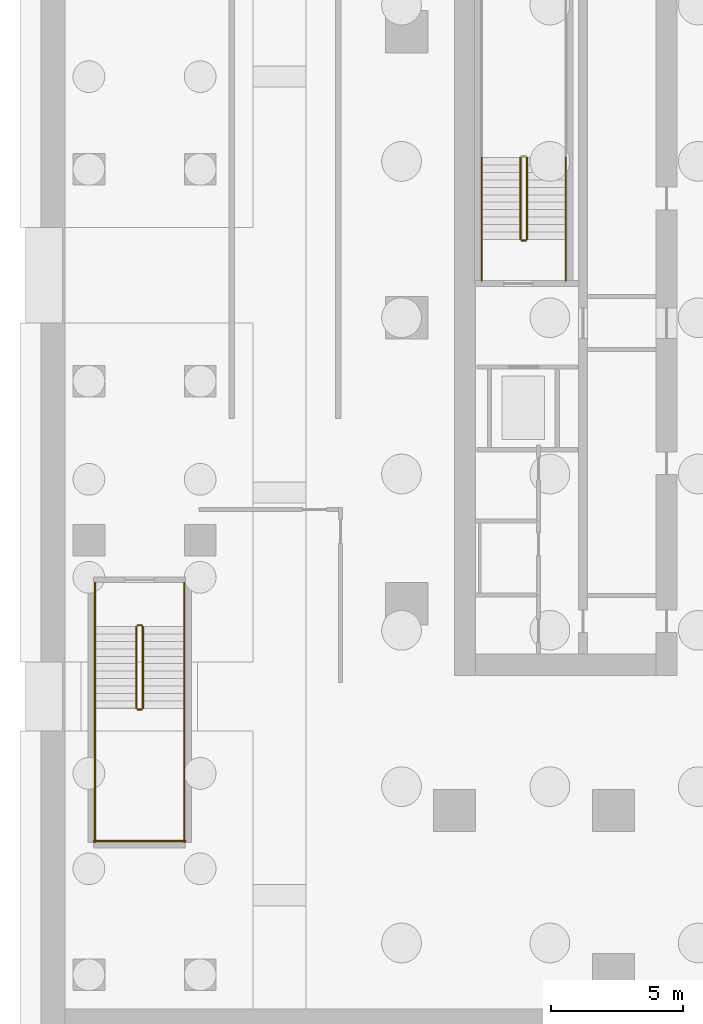
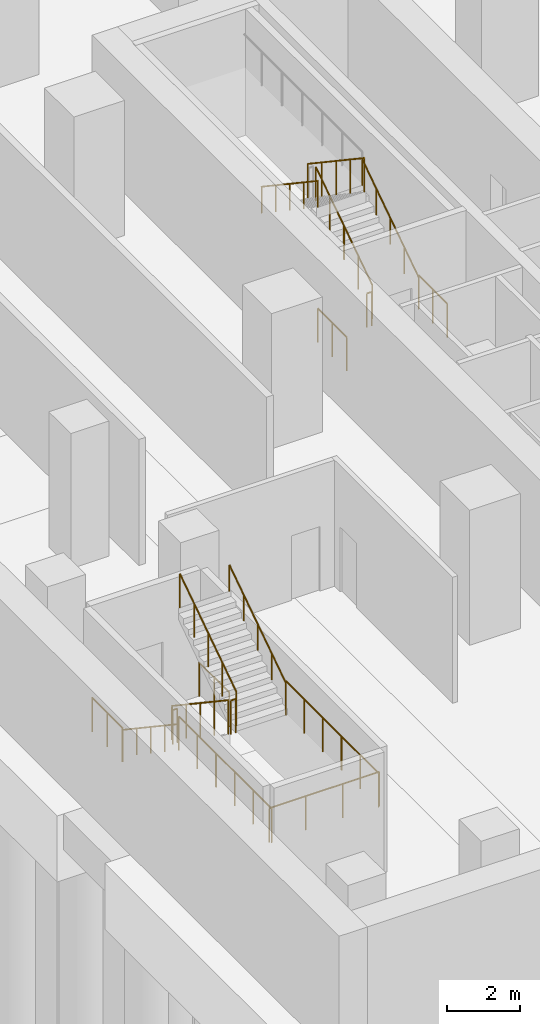
# One storey, part 9 of 15: 18 railings.
"""IFC4 building model written with IfcOpenShell, lengths in metres."""

import ifcopenshell
import ifcopenshell.guid

model = None  # the IFC model being written
_history = None  # IfcOwnerHistory: only IFC2X3 demands one
_inside = {}  # id of a spatial element -> (the spatial element, [elements in it])
_under = {}  # id of a project, library or spatial element -> (it, [spatial elements below it])
_declared = {}  # id of a project -> (the project, [libraries it declares])
_typed = {}  # id of a type object -> (the type object, [elements of that type])
_made_of = {}  # id of a material, layer set ... -> (it, [elements and type objects made of it])


def new_model(schema):
    """Start an empty IFC model of exactly this schema.

    Asked for "IFC4X3", IfcOpenShell would pick the latest addendum, in which some entities
    have other attributes; the version numbers below select the first issue.
    IFC2X3 requires an IfcOwnerHistory on every rooted entity: one is made here for all.
    """
    global model, _history
    if schema == "IFC4X3":
        model = ifcopenshell.file(schema_version=(4, 3, 0, 0))
    else:
        model = ifcopenshell.file(schema=schema)
    _inside.clear()
    _under.clear()
    _declared.clear()
    _typed.clear()
    _made_of.clear()
    _history = None
    if model.schema == "IFC2X3":
        org = make("IfcOrganization", Name="unknown")
        user = make(
            "IfcPersonAndOrganization",
            ThePerson=make("IfcPerson", FamilyName="unknown"),
            TheOrganization=org,
        )
        app = make(
            "IfcApplication",
            ApplicationDeveloper=org,
            Version="unknown",
            ApplicationFullName="unknown",
            ApplicationIdentifier="unknown",
        )
        _history = make(
            "IfcOwnerHistory",
            OwningUser=user,
            OwningApplication=app,
            ChangeAction="ADDED",
            CreationDate=0,
        )
    return model


def make(cls, **values):
    """One entity of the class cls with the attributes given. An attribute that is None is left unset."""
    return model.create_entity(
        cls, **{name: value for name, value in values.items() if value is not None}
    )


def rooted(cls, **values):
    """An entity with a GlobalId (a new one), such as an element, a storey or a relation."""
    return make(cls, GlobalId=ifcopenshell.guid.new(), OwnerHistory=_history, **values)


def si_unit(unit_type, name, prefix=None):
    """IfcSIUnit, for example si_unit("LENGTHUNIT", "METRE", prefix="MILLI")."""
    return make("IfcSIUnit", UnitType=unit_type, Prefix=prefix, Name=name)


def assignment(units):
    """IfcUnitAssignment: the units of a project."""
    return None if units is None else make("IfcUnitAssignment", Units=units)


def point(xyz):
    """IfcCartesianPoint."""
    return None if xyz is None else make("IfcCartesianPoint", Coordinates=xyz)


def direction(xyz):
    """IfcDirection."""
    return None if xyz is None else make("IfcDirection", DirectionRatios=xyz)


def frame(location, z_axis=None, x_axis=None):
    """IfcAxis2Placement3D, a coordinate frame: its origin and axes. An axis left out is left unset."""
    return make(
        "IfcAxis2Placement3D",
        Location=point(location),
        Axis=direction(z_axis),
        RefDirection=direction(x_axis),
    )


def frame_2d(location, x_axis=None):
    """IfcAxis2Placement2D, a coordinate frame in the plane: its origin and x axis."""
    return make(
        "IfcAxis2Placement2D", Location=point(location), RefDirection=direction(x_axis)
    )


def origin():
    """The frame at (0, 0, 0) with its axes left unset."""
    return frame((0.0, 0.0, 0.0))


def origin_2d():
    """The frame at (0, 0) in the plane with its x axis left unset."""
    return frame_2d((0.0, 0.0))


def place(relative_to, where):
    """IfcLocalPlacement: puts the frame where relative to a parent placement (None: the world)."""
    return make(
        "IfcLocalPlacement", PlacementRelTo=relative_to, RelativePlacement=where
    )


def context(
    kind, dimensions, precision=None, world=None, true_north=None, identifier=None
):
    """IfcGeometricRepresentationContext, for example the 3D "Model" context."""
    return make(
        "IfcGeometricRepresentationContext",
        ContextIdentifier=identifier,
        ContextType=kind,
        CoordinateSpaceDimension=dimensions,
        Precision=precision,
        WorldCoordinateSystem=world,
        TrueNorth=true_north,
    )


def subcontext(parent, identifier, kind, view, scale=None):
    """IfcGeometricRepresentationSubContext, for example "Body" below "Model"."""
    return make(
        "IfcGeometricRepresentationSubContext",
        ContextIdentifier=identifier,
        ContextType=kind,
        ParentContext=parent,
        TargetScale=scale,
        TargetView=view,
    )


def project(units=None, contexts=None):
    """IfcProject with its units and contexts."""
    return rooted(
        "IfcProject",
        Name="project",
        RepresentationContexts=contexts,
        UnitsInContext=assignment(units),
    )


def spatial(cls, under=None, at=None, **own):
    """A site, building, storey or space (cls), placed at a placement, below another one or the project."""
    s = rooted(cls, ObjectPlacement=at, **own)
    if under is not None:
        _under.setdefault(under.id(), (under, []))[1].append(s)
    return s


def profile(cls, at=None, kind="AREA", **sizes):
    """A parametric profile (cls). Its sizes go by their IFC names, for example OverallWidth=200.0."""
    return make(cls, ProfileType=kind, Position=at, **sizes)


def circle(**sizes):
    """IfcCircleProfileDef."""
    return profile("IfcCircleProfileDef", **sizes)


def extrude(swept, where, along, depth):
    """IfcExtrudedAreaSolid: the profile swept, set in the frame where, extruded along a direction by depth."""
    return make(
        "IfcExtrudedAreaSolid",
        SweptArea=swept,
        Position=where,
        ExtrudedDirection=direction(along),
        Depth=depth,
    )


def shape(context_of_items, identifier, shape_type, items):
    """IfcShapeRepresentation: the items that make up one representation, for example the "Body"."""
    return make(
        "IfcShapeRepresentation",
        ContextOfItems=context_of_items,
        RepresentationIdentifier=identifier,
        RepresentationType=shape_type,
        Items=items,
    )


def material(Name=None, Category=None):
    """IfcMaterial."""
    return make("IfcMaterial", Name=Name, Category=Category)


def made_of(thing, what):
    """Note that an element or type object is made of a material, layer set ...; save() writes the relation."""
    if what is not None:
        _made_of.setdefault(what.id(), (what, []))[1].append(thing)
    return thing


def type_object(cls, material=None, **own):
    """A type object (cls), such as IfcWallType, which elements share."""
    return made_of(rooted(cls, **own), material)


def element(
    cls,
    number,
    at=None,
    inside=None,
    cuts=None,
    type_object=None,
    material=None,
    context=None,
    identifier="Body",
    shape_type=None,
    held_by="IfcProductDefinitionShape",
    body=None,
    shapes=None,
    **own,
):
    """One element of the class cls, such as IfcWall. Its Tag is "e" and its number.

    at: its placement. inside: the storey or other place that contains it. cuts: it is an
    opening in that element (IfcRelVoidsElement). A single representation is given by context,
    identifier, shape_type and body (its items); several are given by shapes. held_by: the class
    of the entity that holds the representations. save() writes the other relations.
    """
    e = rooted(cls, Tag="e%d" % number, ObjectPlacement=at, **own)
    if body is not None:
        shapes = [shape(context, identifier, shape_type, body)]
    if shapes is not None:
        e.Representation = make(held_by, Representations=shapes)
    if inside is not None:
        _inside.setdefault(inside.id(), (inside, []))[1].append(e)
    if cuts is not None:
        rooted(
            "IfcRelVoidsElement", RelatingBuildingElement=cuts, RelatedOpeningElement=e
        )
    if type_object is not None:
        _typed.setdefault(type_object.id(), (type_object, []))[1].append(e)
    return made_of(e, material)


def aggregate(whole, parts):
    """IfcRelAggregates: a whole, such as a stair, and the parts it consists of."""
    return rooted("IfcRelAggregates", RelatingObject=whole, RelatedObjects=parts)


def save(model, path):
    """Write the relations noted so far, then the file.

    IfcRelAggregates (storeys below a building ...), IfcRelContainedInSpatialStructure (elements
    in a storey), IfcRelDefinesByType, IfcRelAssociatesMaterial and IfcRelDeclares: one each for
    every whole, place, type object, material and project.
    """
    for whole, parts in _under.values():
        aggregate(whole, parts)
    for where, things in _inside.values():
        rooted(
            "IfcRelContainedInSpatialStructure",
            RelatedElements=things,
            RelatingStructure=where,
        )
    for kind, things in _typed.values():
        rooted("IfcRelDefinesByType", RelatedObjects=things, RelatingType=kind)
    for what, things in _made_of.values():
        rooted("IfcRelAssociatesMaterial", RelatedObjects=things, RelatingMaterial=what)
    for by, libraries in _declared.values():
        rooted("IfcRelDeclares", RelatingContext=by, RelatedDefinitions=libraries)
    model.write(path)


model = new_model("IFC4")

# Units and contexts
model_context = context("Model", 3, precision=1e-05, world=origin(), true_north=direction((0.0, 1.0)))
body_context = subcontext(model_context, "Body", "Model", "MODEL_VIEW")
ifc_project = project(units=[si_unit("LENGTHUNIT", "METRE"), si_unit("AREAUNIT", "SQUARE_METRE"), si_unit("VOLUMEUNIT", "CUBIC_METRE"), si_unit("PLANEANGLEUNIT", "RADIAN"), si_unit("MASSUNIT", "GRAM", prefix="KILO")], contexts=[model_context])

# Site, building, storey
site_placement = place(None, origin())
site = spatial("IfcSite", under=ifc_project, at=site_placement, CompositionType="ELEMENT")
building_placement = place(site_placement, origin())
building = spatial("IfcBuilding", under=site, at=building_placement, Name="Khairoan Windgate Tower", CompositionType="ELEMENT")
storey_placement = place(building_placement, frame((0.0, 0.0, -9.0)))
storey = spatial("IfcBuildingStorey", under=building, at=storey_placement, Name="B2", CompositionType="ELEMENT", Elevation=-9.0)

# Railings
ifc_material_1 = material(Name="Anodised Bronze Aluminium 6063-T6", Category="aluminium")
railing_type_1 = type_object("IfcRailingType", Name="Stair Wall Handrail SHR-900", PredefinedType="HANDRAIL", material=ifc_material_1)
railing_1_placement = place(storey_placement, frame((-16.199951171875, 2.9599609375, 0.1875)))
element("IfcRailing", 1, at=railing_1_placement, inside=storey, type_object=railing_type_1, Name="B2 ST2 stair handrail 1", PredefinedType="HANDRAIL", context=body_context, shape_type="SweptSolid", body=[
    extrude(circle(Radius=0.02392578125, at=origin_2d()), frame((0.0, 0.0, 0.8759765625), z_axis=(0.0, 0.830913701846, 0.55640131208), x_axis=(-1.0, 0.0, 0.0)), (0.0, 0.0, 1.0), 3.706787109375),
    extrude(circle(Radius=0.02099609375, at=origin_2d()), origin(), (0.0, 0.0, 1.0), 0.851806640625),
    extrude(circle(Radius=0.02099609375, at=origin_2d()), frame((0.0, 0.77001953125, 0.515625)), (0.0, 0.0, 1.0), 0.851806640625),
    extrude(circle(Radius=0.02099609375, at=origin_2d()), frame((0.0, 1.5400390625, 1.03125)), (0.0, 0.0, 1.0), 0.851806640625),
    extrude(circle(Radius=0.02099609375, at=origin_2d()), frame((0.0, 2.31005859375, 1.546875)), (0.0, 0.0, 1.0), 0.851806640625),
    extrude(circle(Radius=0.02099609375, at=origin_2d()), frame((0.0, 3.080078125, 2.0625)), (0.0, 0.0, 1.0), 0.851806640625),
])
for number, where, name in (
    (2, (-19.3701171875, 6.0400390625, 2.4375), "B2 ST2 stair handrail 2"),
    (3, (-33.969970703125, -11.659912109375, 0.1875), "B2 ST4 stair handrail 1"),
):
    element("IfcRailing", number, at=place(storey_placement, frame(where)), inside=storey, type_object=railing_type_1, Name=name, PredefinedType="HANDRAIL", context=body_context, shape_type="SweptSolid", body=[
        extrude(circle(Radius=0.02392578125, at=origin_2d()), frame((0.0, 0.0, 0.8759765625), z_axis=(0.0, -0.830913701846, 0.55640131208), x_axis=(1.0, 0.0, 0.0)), (0.0, 0.0, 1.0), 3.706787109375),
        extrude(circle(Radius=0.02099609375, at=origin_2d()), origin(), (0.0, 0.0, 1.0), 0.851806640625),
        extrude(circle(Radius=0.02099609375, at=origin_2d()), frame((0.0, -0.77001953125, 0.515625)), (0.0, 0.0, 1.0), 0.851806640625),
        extrude(circle(Radius=0.02099609375, at=origin_2d()), frame((0.0, -1.5400390625, 1.03125)), (0.0, 0.0, 1.0), 0.851806640625),
        extrude(circle(Radius=0.02099609375, at=origin_2d()), frame((0.0, -2.31005859375, 1.546875)), (0.0, 0.0, 1.0), 0.851806640625),
        extrude(circle(Radius=0.02099609375, at=origin_2d()), frame((0.0, -3.080078125, 2.0625)), (0.0, 0.0, 1.0), 0.851806640625),
    ])
railing_2_placement = place(storey_placement, frame((-30.60009765625, -14.739990234375, 2.4375)))
element("IfcRailing", 4, at=railing_2_placement, inside=storey, type_object=railing_type_1, Name="B2 ST4 stair handrail 2", PredefinedType="HANDRAIL", context=body_context, shape_type="SweptSolid", body=[
    extrude(circle(Radius=0.02392578125, at=origin_2d()), frame((0.0, 0.0, 0.8759765625), z_axis=(0.0, 0.830913701846, 0.55640131208), x_axis=(-1.0, 0.0, 0.0)), (0.0, 0.0, 1.0), 3.706787109375),
    extrude(circle(Radius=0.02099609375, at=origin_2d()), origin(), (0.0, 0.0, 1.0), 0.851806640625),
    extrude(circle(Radius=0.02099609375, at=origin_2d()), frame((0.0, 0.77001953125, 0.515625)), (0.0, 0.0, 1.0), 0.851806640625),
    extrude(circle(Radius=0.02099609375, at=origin_2d()), frame((0.0, 1.5400390625, 1.03125)), (0.0, 0.0, 1.0), 0.851806640625),
    extrude(circle(Radius=0.02099609375, at=origin_2d()), frame((0.0, 2.31005859375, 1.546875)), (0.0, 0.0, 1.0), 0.851806640625),
    extrude(circle(Radius=0.02099609375, at=origin_2d()), frame((0.0, 3.080078125, 2.0625)), (0.0, 0.0, 1.0), 0.851806640625),
])
ifc_material_2 = material(Name="Steel S355", Category="steel")
railing_type_2 = type_object("IfcRailingType", Name="Stairwell Safety Guardrail SGR-1150", PredefinedType="GUARDRAIL", material=ifc_material_2)
railing_3_placement = place(storey_placement, frame((-17.659912109375, 2.9599609375, 0.1875)))
element("IfcRailing", 5, at=railing_3_placement, inside=storey, type_object=railing_type_2, Name="B2 ST2 stair guard 1", PredefinedType="GUARDRAIL", context=body_context, shape_type="SweptSolid", body=[
    extrude(circle(Radius=0.02392578125, at=origin_2d()), frame((0.0, 0.0, 1.1259765625), z_axis=(0.0, 0.830913701846, 0.55640131208), x_axis=(-1.0, 0.0, 0.0)), (0.0, 0.0, 1.0), 3.706787109375),
    extrude(circle(Radius=0.02099609375, at=origin_2d()), origin(), (0.0, 0.0, 1.0), 1.101806640625),
    extrude(circle(Radius=0.02099609375, at=origin_2d()), frame((0.0, 0.77001953125, 0.515625)), (0.0, 0.0, 1.0), 1.101806640625),
    extrude(circle(Radius=0.02099609375, at=origin_2d()), frame((0.0, 1.5400390625, 1.03125)), (0.0, 0.0, 1.0), 1.101806640625),
    extrude(circle(Radius=0.02099609375, at=origin_2d()), frame((0.0, 2.31005859375, 1.546875)), (0.0, 0.0, 1.0), 1.101806640625),
    extrude(circle(Radius=0.02099609375, at=origin_2d()), frame((0.0, 3.080078125, 2.0625)), (0.0, 0.0, 1.0), 1.101806640625),
])
railing_4_placement = place(storey_placement, frame((-17.909912109375, 6.0400390625, 2.4375)))
element("IfcRailing", 6, at=railing_4_placement, inside=storey, type_object=railing_type_2, Name="B2 ST2 stair guard 6", PredefinedType="GUARDRAIL", context=body_context, shape_type="SweptSolid", body=[
    extrude(circle(Radius=0.02392578125, at=origin_2d()), frame((0.0, 0.0, 1.1259765625), z_axis=(0.0, -0.830913701846, 0.55640131208), x_axis=(1.0, 0.0, 0.0)), (0.0, 0.0, 1.0), 3.706787109375),
    extrude(circle(Radius=0.02099609375, at=origin_2d()), origin(), (0.0, 0.0, 1.0), 1.101806640625),
    extrude(circle(Radius=0.02099609375, at=origin_2d()), frame((0.0, -0.77001953125, 0.515625)), (0.0, 0.0, 1.0), 1.101806640625),
    extrude(circle(Radius=0.02099609375, at=origin_2d()), frame((0.0, -1.5400390625, 1.03125)), (0.0, 0.0, 1.0), 1.101806640625),
    extrude(circle(Radius=0.02099609375, at=origin_2d()), frame((0.0, -2.31005859375, 1.546875)), (0.0, 0.0, 1.0), 1.101806640625),
    extrude(circle(Radius=0.02099609375, at=origin_2d()), frame((0.0, -3.080078125, 2.0625)), (0.0, 0.0, 1.0), 1.101806640625),
])
railing_5_placement = place(storey_placement, frame((-17.7099609375, 2.909912109375, 0.0)))
element("IfcRailing", 7, at=railing_5_placement, inside=storey, type_object=railing_type_2, Name="B2 ST2 stair guard 7", PredefinedType="GUARDRAIL", context=body_context, shape_type="SweptSolid", body=[
    extrude(circle(Radius=0.02392578125, at=origin_2d()), frame((0.0, 0.0, 1.1259765625), z_axis=(-1.0, 0.0, 0.0), x_axis=(0.0, -1.0, 0.0)), (0.0, 0.0, 1.0), 0.150146484375),
    extrude(circle(Radius=0.02099609375, at=origin_2d()), origin(), (0.0, 0.0, 1.0), 1.101806640625),
    extrude(circle(Radius=0.02099609375, at=origin_2d()), frame((-0.150146484375, 0.0, 0.0)), (0.0, 0.0, 1.0), 1.101806640625),
])
for number, where, name in (
    (8, (-16.199951171875, 1.39990234375, 0.0), "B2 ST2 stair guard 8"),
    (9, (-19.3701171875, 1.39990234375, 0.0), "B2 ST2 stair guard 9"),
):
    element("IfcRailing", number, at=place(storey_placement, frame(where)), inside=storey, type_object=railing_type_2, Name=name, PredefinedType="GUARDRAIL", context=body_context, shape_type="SweptSolid", body=[
        extrude(circle(Radius=0.02392578125, at=origin_2d()), frame((0.0, 0.0, 1.1259765625), z_axis=(0.0, 1.0, 0.0), x_axis=(-1.0, 0.0, 0.0)), (0.0, 0.0, 1.0), 1.56005859375),
        extrude(circle(Radius=0.02099609375, at=origin_2d()), origin(), (0.0, 0.0, 1.0), 1.101806640625),
        extrude(circle(Radius=0.02099609375, at=origin_2d()), frame((0.0, 0.780029296875, 0.0)), (0.0, 0.0, 1.0), 1.101806640625),
        extrude(circle(Radius=0.02099609375, at=origin_2d()), frame((0.0, 1.56005859375, 0.0)), (0.0, 0.0, 1.0), 1.101806640625),
    ])
railing_6_placement = place(storey_placement, frame((-32.409912109375, -11.659912109375, 0.1875)))
element("IfcRailing", 10, at=railing_6_placement, inside=storey, type_object=railing_type_2, Name="B2 ST4 stair guard 1", PredefinedType="GUARDRAIL", context=body_context, shape_type="SweptSolid", body=[
    extrude(circle(Radius=0.02392578125, at=origin_2d()), frame((0.0, 0.0, 1.1259765625), z_axis=(0.0, -0.830913701846, 0.55640131208), x_axis=(1.0, 0.0, 0.0)), (0.0, 0.0, 1.0), 3.706787109375),
    extrude(circle(Radius=0.02099609375, at=origin_2d()), origin(), (0.0, 0.0, 1.0), 1.101806640625),
    extrude(circle(Radius=0.02099609375, at=origin_2d()), frame((0.0, -0.77001953125, 0.515625)), (0.0, 0.0, 1.0), 1.101806640625),
    extrude(circle(Radius=0.02099609375, at=origin_2d()), frame((0.0, -1.5400390625, 1.03125)), (0.0, 0.0, 1.0), 1.101806640625),
    extrude(circle(Radius=0.02099609375, at=origin_2d()), frame((0.0, -2.31005859375, 1.546875)), (0.0, 0.0, 1.0), 1.101806640625),
    extrude(circle(Radius=0.02099609375, at=origin_2d()), frame((0.0, -3.080078125, 2.0625)), (0.0, 0.0, 1.0), 1.101806640625),
])
railing_7_placement = place(storey_placement, frame((-32.360107421875, -14.7900390625, 2.25)))
element("IfcRailing", 11, at=railing_7_placement, inside=storey, type_object=railing_type_2, Name="B2 ST4 stair guard 2", PredefinedType="GUARDRAIL", context=body_context, shape_type="SweptSolid", body=[
    extrude(circle(Radius=0.02392578125, at=origin_2d()), frame((0.0, 0.0, 1.1259765625), z_axis=(1.0, 0.0, 0.0), x_axis=(0.0, 1.0, 0.0)), (0.0, 0.0, 1.0), 0.150146484375),
    extrude(circle(Radius=0.02099609375, at=origin_2d()), origin(), (0.0, 0.0, 1.0), 1.101806640625),
    extrude(circle(Radius=0.02099609375, at=origin_2d()), frame((0.150146484375, 0.0, 0.0)), (0.0, 0.0, 1.0), 1.101806640625),
])
for number, where, name in (
    (12, (-33.969970703125, -14.739990234375, 2.25), "B2 ST4 stair guard 3"),
    (13, (-30.60009765625, -14.739990234375, 2.25), "B2 ST4 stair guard 4"),
):
    element("IfcRailing", number, at=place(storey_placement, frame(where)), inside=storey, type_object=railing_type_2, Name=name, PredefinedType="GUARDRAIL", context=body_context, shape_type="SweptSolid", body=[
        extrude(circle(Radius=0.02392578125, at=origin_2d()), frame((0.0, 0.0, 1.1259765625), z_axis=(0.0, -1.0, 0.0), x_axis=(1.0, 0.0, 0.0)), (0.0, 0.0, 1.0), 5.06005859375),
        extrude(circle(Radius=0.02099609375, at=origin_2d()), origin(), (0.0, 0.0, 1.0), 1.101806640625),
        extrude(circle(Radius=0.02099609375, at=origin_2d()), frame((0.0, -1.011962890625, 0.0)), (0.0, 0.0, 1.0), 1.101806640625),
        extrude(circle(Radius=0.02099609375, at=origin_2d()), frame((0.0, -2.02392578125, 0.0)), (0.0, 0.0, 1.0), 1.101806640625),
        extrude(circle(Radius=0.02099609375, at=origin_2d()), frame((0.0, -3.0361328125, 0.0)), (0.0, 0.0, 1.0), 1.101806640625),
        extrude(circle(Radius=0.02099609375, at=origin_2d()), frame((0.0, -4.048095703125, 0.0)), (0.0, 0.0, 1.0), 1.101806640625),
        extrude(circle(Radius=0.02099609375, at=origin_2d()), frame((0.0, -5.06005859375, 0.0)), (0.0, 0.0, 1.0), 1.101806640625),
    ])
railing_8_placement = place(storey_placement, frame((-34.02001953125, -19.75, 2.25)))
element("IfcRailing", 14, at=railing_8_placement, inside=storey, type_object=railing_type_2, Name="B2 ST4 stair guard 5", PredefinedType="GUARDRAIL", context=body_context, shape_type="SweptSolid", body=[
    extrude(circle(Radius=0.02392578125, at=origin_2d()), frame((0.0, 0.0, 1.1259765625), z_axis=(1.0, 0.0, 0.0), x_axis=(0.0, 1.0, 0.0)), (0.0, 0.0, 1.0), 3.469970703125),
    extrude(circle(Radius=0.02099609375, at=origin_2d()), origin(), (0.0, 0.0, 1.0), 1.101806640625),
    extrude(circle(Radius=0.02099609375, at=origin_2d()), frame((1.15673828125, 0.0, 0.0)), (0.0, 0.0, 1.0), 1.101806640625),
    extrude(circle(Radius=0.02099609375, at=origin_2d()), frame((2.313232421875, 0.0, 0.0)), (0.0, 0.0, 1.0), 1.101806640625),
    extrude(circle(Radius=0.02099609375, at=origin_2d()), frame((3.469970703125, 0.0, 0.0)), (0.0, 0.0, 1.0), 1.101806640625),
])
railing_9_placement = place(storey_placement, frame((-32.159912109375, -14.739990234375, 2.4375)))
element("IfcRailing", 15, at=railing_9_placement, inside=storey, type_object=railing_type_2, Name="B2 ST4 stair guard 6", PredefinedType="GUARDRAIL", context=body_context, shape_type="SweptSolid", body=[
    extrude(circle(Radius=0.02392578125, at=origin_2d()), frame((0.0, 0.0, 1.1259765625), z_axis=(0.0, 0.830913701846, 0.55640131208), x_axis=(-1.0, 0.0, 0.0)), (0.0, 0.0, 1.0), 3.706787109375),
    extrude(circle(Radius=0.02099609375, at=origin_2d()), origin(), (0.0, 0.0, 1.0), 1.101806640625),
    extrude(circle(Radius=0.02099609375, at=origin_2d()), frame((0.0, 0.77001953125, 0.515625)), (0.0, 0.0, 1.0), 1.101806640625),
    extrude(circle(Radius=0.02099609375, at=origin_2d()), frame((0.0, 1.5400390625, 1.03125)), (0.0, 0.0, 1.0), 1.101806640625),
    extrude(circle(Radius=0.02099609375, at=origin_2d()), frame((0.0, 2.31005859375, 1.546875)), (0.0, 0.0, 1.0), 1.101806640625),
    extrude(circle(Radius=0.02099609375, at=origin_2d()), frame((0.0, 3.080078125, 2.0625)), (0.0, 0.0, 1.0), 1.101806640625),
])
railing_10_placement = place(storey_placement, frame((-32.360107421875, -11.610107421875, 0.0)))
element("IfcRailing", 16, at=railing_10_placement, inside=storey, type_object=railing_type_2, Name="B2 ST4 stair guard 7", PredefinedType="GUARDRAIL", context=body_context, shape_type="SweptSolid", body=[
    extrude(circle(Radius=0.02392578125, at=origin_2d()), frame((0.0, 0.0, 1.1259765625), z_axis=(1.0, 0.0, 0.0), x_axis=(0.0, 1.0, 0.0)), (0.0, 0.0, 1.0), 0.150146484375),
    extrude(circle(Radius=0.02099609375, at=origin_2d()), origin(), (0.0, 0.0, 1.0), 1.101806640625),
    extrude(circle(Radius=0.02099609375, at=origin_2d()), frame((0.150146484375, 0.0, 0.0)), (0.0, 0.0, 1.0), 1.101806640625),
])
for number, where, name in (
    (17, (-33.969970703125, -10.0, 0.0), "B2 ST4 stair guard 8"),
    (18, (-30.60009765625, -10.0, 0.0), "B2 ST4 stair guard 9"),
):
    element("IfcRailing", number, at=place(storey_placement, frame(where)), inside=storey, type_object=railing_type_2, Name=name, PredefinedType="GUARDRAIL", context=body_context, shape_type="SweptSolid", body=[
        extrude(circle(Radius=0.02392578125, at=origin_2d()), frame((0.0, 0.0, 1.1259765625), z_axis=(0.0, -1.0, 0.0), x_axis=(1.0, 0.0, 0.0)), (0.0, 0.0, 1.0), 1.659912109375),
        extrude(circle(Radius=0.02099609375, at=origin_2d()), origin(), (0.0, 0.0, 1.0), 1.101806640625),
        extrude(circle(Radius=0.02099609375, at=origin_2d()), frame((0.0, -0.830078125, 0.0)), (0.0, 0.0, 1.0), 1.101806640625),
        extrude(circle(Radius=0.02099609375, at=origin_2d()), frame((0.0, -1.659912109375, 0.0)), (0.0, 0.0, 1.0), 1.101806640625),
    ])

save(model, "model.ifc")
